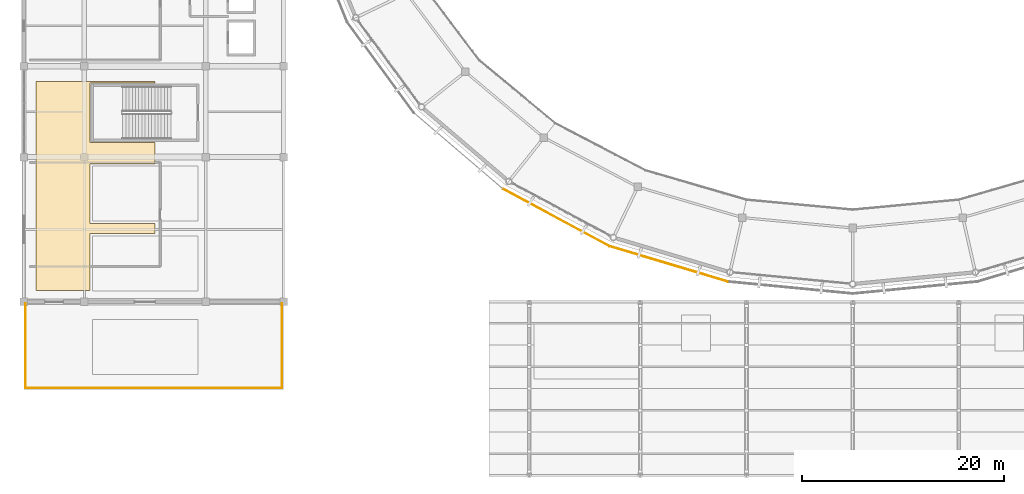
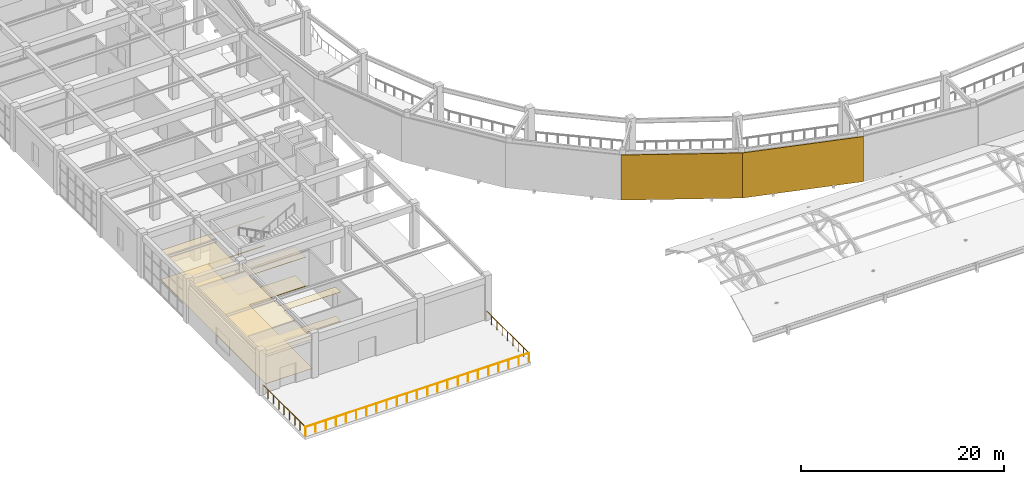
# One storey, part 62 of 70: 4 coverings, 3 railings.
"""IFC4 building model written with IfcOpenShell, lengths in metres."""

from ifc_helpers import new_model, si_unit, direction, frame, frame_2d, origin, origin_2d, place, context, subcontext, project, spatial, polyline, rectangle, circle, outline, extrude, material, layer, layer_set, type_object, element, save


model = new_model("IFC4")

# Units and contexts
model_context = context("Model", 3, precision=1e-05, world=origin(), true_north=direction((0.0, 1.0)))
body_context = subcontext(model_context, "Body", "Model", "MODEL_VIEW")
ifc_project = project(units=[si_unit("LENGTHUNIT", "METRE"), si_unit("AREAUNIT", "SQUARE_METRE"), si_unit("VOLUMEUNIT", "CUBIC_METRE"), si_unit("PLANEANGLEUNIT", "RADIAN"), si_unit("MASSUNIT", "GRAM", prefix="KILO")], contexts=[model_context])

# Site, building, storey
site_placement = place(None, origin())
site = spatial("IfcSite", under=ifc_project, at=site_placement, CompositionType="ELEMENT")
building_placement = place(site_placement, origin())
building = spatial("IfcBuilding", under=site, at=building_placement, Name="Cuetzalor Civic Arena", CompositionType="ELEMENT")
storey_placement = place(building_placement, frame((0.0, 0.0, 21.0)))
storey = spatial("IfcBuildingStorey", under=building, at=storey_placement, Name="L04", CompositionType="ELEMENT", Elevation=21.0)

# Coverings
ifc_material_1 = material(Name="Perforated acoustic mineral ceiling board", Category="gypsum")
ifc_layer_1 = layer(ifc_material_1, 0.02490234375)
ifc_layer_set_1 = layer_set([ifc_layer_1], Name="Perforated acoustic mineral ceiling board")
covering_type_1 = type_object("IfcCoveringType", Name="AcousticMineralCeiling_25", PredefinedType="CEILING", material=ifc_layer_set_1)
covering_1_placement = place(storey_placement, frame((0.0, 0.0, 3.5)))
element("IfcCovering", 1, at=covering_1_placement, inside=storey, type_object=covering_type_1, Name="Sky Club West Acoustic Ceiling", PredefinedType="CEILING", context=body_context, shape_type="SweptSolid", body=[
    extrude(outline(polyline([(-80.800048828125, -47.199951171875), (-80.800048828125, -26.5), (-69.0, -26.5), (-69.0, -26.64990234375), (-75.449951171875, -26.64990234375), (-75.449951171875, -32.550048828125), (-69.0, -32.550048828125), (-69.0, -34.64990234375), (-75.449951171875, -34.64990234375), (-75.449951171875, -40.550048828125), (-69.0, -40.550048828125), (-69.0, -41.550048828125), (-75.449951171875, -41.550048828125), (-75.449951171875, -47.199951171875), (-80.800048828125, -47.199951171875)])), origin(), (0.0, 0.0, 1.0), 0.02490234375),
])
ifc_material_2 = material(Name="Honed Puebla marble and basalt terrazzo flooring", Category="masonry")
ifc_layer_2 = layer(ifc_material_2, 0.030029296875)
ifc_layer_set_2 = layer_set([ifc_layer_2], Name="Honed Puebla marble and basalt terrazzo flooring")
covering_type_2 = type_object("IfcCoveringType", Name="PoblanoTerrazzoFlooring_30", PredefinedType="FLOORING", material=ifc_layer_set_2)
covering_2_placement = place(storey_placement, origin())
element("IfcCovering", 2, at=covering_2_placement, inside=storey, type_object=covering_type_2, Name="Sky Club West Terrazzo", PredefinedType="FLOORING", context=body_context, shape_type="SweptSolid", body=[
    extrude(outline(polyline([(-80.800048828125, -47.199951171875), (-80.800048828125, -26.5), (-69.0, -26.5), (-69.0, -26.64990234375), (-75.449951171875, -26.64990234375), (-75.449951171875, -32.550048828125), (-69.0, -32.550048828125), (-69.0, -34.64990234375), (-75.449951171875, -34.64990234375), (-75.449951171875, -40.550048828125), (-69.0, -40.550048828125), (-69.0, -41.550048828125), (-75.449951171875, -41.550048828125), (-75.449951171875, -47.199951171875), (-80.800048828125, -47.199951171875)])), origin(), (0.0, 0.0, 1.0), 0.030029296875),
])

# Railings
ifc_material_3 = material(Name="Reseda-green architectural Steel S355 balustrade", Category="steel")
railing_type = type_object("IfcRailingType", Name="TerraceBalustrade_1100", PredefinedType="BALUSTRADE", material=ifc_material_3)
railing_1_placement = place(storey_placement, frame((-81.85009765625, -48.449951171875, 0.0)))
element("IfcRailing", 3, at=railing_1_placement, inside=storey, type_object=railing_type, Name="Planted Roof Garden V4W L04 Balustrade 1", PredefinedType="BALUSTRADE", context=body_context, shape_type="SweptSolid", body=[
    extrude(circle(Radius=0.02392578125, at=origin_2d()), frame((0.0, 0.0, 1.076171875), z_axis=(0.0, -1.0, 0.0), x_axis=(1.0, 0.0, 0.0)), (0.0, 0.0, 1.0), 8.400146484375),
    extrude(circle(Radius=0.02099609375, at=origin_2d()), origin(), (0.0, 0.0, 1.0), 1.052001953125),
    extrude(circle(Radius=0.02099609375, at=origin_2d()), frame((0.0, -1.050048828125, 0.0)), (0.0, 0.0, 1.0), 1.052001953125),
    extrude(circle(Radius=0.02099609375, at=origin_2d()), frame((0.0, -2.10009765625, 0.0)), (0.0, 0.0, 1.0), 1.052001953125),
    extrude(circle(Radius=0.02099609375, at=origin_2d()), frame((0.0, -3.150146484375, 0.0)), (0.0, 0.0, 1.0), 1.052001953125),
    extrude(circle(Radius=0.02099609375, at=origin_2d()), frame((0.0, -4.2001953125, 0.0)), (0.0, 0.0, 1.0), 1.052001953125),
    extrude(circle(Radius=0.02099609375, at=origin_2d()), frame((0.0, -5.25, 0.0)), (0.0, 0.0, 1.0), 1.052001953125),
    extrude(circle(Radius=0.02099609375, at=origin_2d()), frame((0.0, -6.300048828125, 0.0)), (0.0, 0.0, 1.0), 1.052001953125),
    extrude(circle(Radius=0.02099609375, at=origin_2d()), frame((0.0, -7.35009765625, 0.0)), (0.0, 0.0, 1.0), 1.052001953125),
    extrude(circle(Radius=0.02099609375, at=origin_2d()), frame((0.0, -8.400146484375, 0.0)), (0.0, 0.0, 1.0), 1.052001953125),
])
railing_2_placement = place(storey_placement, frame((-81.85009765625, -56.85009765625, 0.0)))
element("IfcRailing", 4, at=railing_2_placement, inside=storey, type_object=railing_type, Name="Planted Roof Garden V4W L04 Balustrade 2", PredefinedType="BALUSTRADE", context=body_context, shape_type="SweptSolid", body=[
    extrude(circle(Radius=0.02392578125, at=origin_2d()), frame((0.0, 0.0, 1.076171875), z_axis=(1.0, 0.0, 0.0), x_axis=(0.0, 1.0, 0.0)), (0.0, 0.0, 1.0), 25.400146484375),
    extrude(circle(Radius=0.02099609375, at=origin_2d()), origin(), (0.0, 0.0, 1.0), 1.052001953125),
    extrude(circle(Radius=0.02099609375, at=origin_2d()), frame((1.154541015625, 0.0, 0.0)), (0.0, 0.0, 1.0), 1.052001953125),
    extrude(circle(Radius=0.02099609375, at=origin_2d()), frame((2.30908203125, 0.0, 0.0)), (0.0, 0.0, 1.0), 1.052001953125),
    extrude(circle(Radius=0.02099609375, at=origin_2d()), frame((3.463623046875, 0.0, 0.0)), (0.0, 0.0, 1.0), 1.052001953125),
    extrude(circle(Radius=0.02099609375, at=origin_2d()), frame((4.6181640625, 0.0, 0.0)), (0.0, 0.0, 1.0), 1.052001953125),
    extrude(circle(Radius=0.02099609375, at=origin_2d()), frame((5.772705078125, 0.0, 0.0)), (0.0, 0.0, 1.0), 1.052001953125),
    extrude(circle(Radius=0.02099609375, at=origin_2d()), frame((6.92724609375, 0.0, 0.0)), (0.0, 0.0, 1.0), 1.052001953125),
    extrude(circle(Radius=0.02099609375, at=origin_2d()), frame((8.081787109375, 0.0, 0.0)), (0.0, 0.0, 1.0), 1.052001953125),
    extrude(circle(Radius=0.02099609375, at=origin_2d()), frame((9.236328125, 0.0, 0.0)), (0.0, 0.0, 1.0), 1.052001953125),
    extrude(circle(Radius=0.02099609375, at=origin_2d()), frame((10.390869140625, 0.0, 0.0)), (0.0, 0.0, 1.0), 1.052001953125),
    extrude(circle(Radius=0.02099609375, at=origin_2d()), frame((11.54541015625, 0.0, 0.0)), (0.0, 0.0, 1.0), 1.052001953125),
    extrude(circle(Radius=0.02099609375, at=origin_2d()), frame((12.7001953125, 0.0, 0.0)), (0.0, 0.0, 1.0), 1.052001953125),
    extrude(circle(Radius=0.02099609375, at=origin_2d()), frame((13.854736328125, 0.0, 0.0)), (0.0, 0.0, 1.0), 1.052001953125),
    extrude(circle(Radius=0.02099609375, at=origin_2d()), frame((15.00927734375, 0.0, 0.0)), (0.0, 0.0, 1.0), 1.052001953125),
    extrude(circle(Radius=0.02099609375, at=origin_2d()), frame((16.163818359375, 0.0, 0.0)), (0.0, 0.0, 1.0), 1.052001953125),
    extrude(circle(Radius=0.02099609375, at=origin_2d()), frame((17.318359375, 0.0, 0.0)), (0.0, 0.0, 1.0), 1.052001953125),
    extrude(circle(Radius=0.02099609375, at=origin_2d()), frame((18.472900390625, 0.0, 0.0)), (0.0, 0.0, 1.0), 1.052001953125),
    extrude(circle(Radius=0.02099609375, at=origin_2d()), frame((19.62744140625, 0.0, 0.0)), (0.0, 0.0, 1.0), 1.052001953125),
    extrude(circle(Radius=0.02099609375, at=origin_2d()), frame((20.781982421875, 0.0, 0.0)), (0.0, 0.0, 1.0), 1.052001953125),
    extrude(circle(Radius=0.02099609375, at=origin_2d()), frame((21.9365234375, 0.0, 0.0)), (0.0, 0.0, 1.0), 1.052001953125),
    extrude(circle(Radius=0.02099609375, at=origin_2d()), frame((23.091064453125, 0.0, 0.0)), (0.0, 0.0, 1.0), 1.052001953125),
    extrude(circle(Radius=0.02099609375, at=origin_2d()), frame((24.24560546875, 0.0, 0.0)), (0.0, 0.0, 1.0), 1.052001953125),
    extrude(circle(Radius=0.02099609375, at=origin_2d()), frame((25.400146484375, 0.0, 0.0)), (0.0, 0.0, 1.0), 1.052001953125),
])
railing_3_placement = place(storey_placement, frame((-56.449951171875, -56.85009765625, 0.0)))
element("IfcRailing", 5, at=railing_3_placement, inside=storey, type_object=railing_type, Name="Planted Roof Garden V4W L04 Balustrade 3", PredefinedType="BALUSTRADE", context=body_context, shape_type="SweptSolid", body=[
    extrude(circle(Radius=0.02392578125, at=origin_2d()), frame((0.0, 0.0, 1.076171875), z_axis=(0.0, 1.0, 0.0), x_axis=(-1.0, 0.0, 0.0)), (0.0, 0.0, 1.0), 8.400146484375),
    extrude(circle(Radius=0.02099609375, at=origin_2d()), origin(), (0.0, 0.0, 1.0), 1.052001953125),
    extrude(circle(Radius=0.02099609375, at=origin_2d()), frame((0.0, 1.050048828125, 0.0)), (0.0, 0.0, 1.0), 1.052001953125),
    extrude(circle(Radius=0.02099609375, at=origin_2d()), frame((0.0, 2.10009765625, 0.0)), (0.0, 0.0, 1.0), 1.052001953125),
    extrude(circle(Radius=0.02099609375, at=origin_2d()), frame((0.0, 3.150146484375, 0.0)), (0.0, 0.0, 1.0), 1.052001953125),
    extrude(circle(Radius=0.02099609375, at=origin_2d()), frame((0.0, 4.2001953125, 0.0)), (0.0, 0.0, 1.0), 1.052001953125),
    extrude(circle(Radius=0.02099609375, at=origin_2d()), frame((0.0, 5.25, 0.0)), (0.0, 0.0, 1.0), 1.052001953125),
    extrude(circle(Radius=0.02099609375, at=origin_2d()), frame((0.0, 6.300048828125, 0.0)), (0.0, 0.0, 1.0), 1.052001953125),
    extrude(circle(Radius=0.02099609375, at=origin_2d()), frame((0.0, 7.35009765625, 0.0)), (0.0, 0.0, 1.0), 1.052001953125),
    extrude(circle(Radius=0.02099609375, at=origin_2d()), frame((0.0, 8.400146484375, 0.0)), (0.0, 0.0, 1.0), 1.052001953125),
])

# Coverings
ifc_material_4 = material(Name="Terracotta-red perforated anodised aluminium panel", Category="masonry")
ifc_layer_3 = layer(ifc_material_4, 0.080078125)
ifc_layer_set_3 = layer_set([ifc_layer_3], Name="Terracotta-red perforated anodised aluminium panel")
covering_type_3 = type_object("IfcCoveringType", Name="TerracottaPerforatedScreenPanel", PredefinedType="CLADDING", material=ifc_layer_set_3)
covering_3_placement = place(storey_placement, frame((-24.08056640625, -42.7958984375, -0.139892578125), z_axis=(0.0, 0.0, 1.0), x_axis=(-0.880729476331, 0.473619667584, 0.0)))
element("IfcCovering", 6, at=covering_3_placement, inside=storey, type_object=covering_type_3, Name="Terracotta Perforated Drum Screen L04-S19", PredefinedType="CLADDING", context=body_context, shape_type="SweptSolid", body=[
    extrude(rectangle(XDim=11.9482421875, YDim=0.080078125, at=frame_2d((5.97412109375, 0.0))), origin(), (0.0, 0.0, 1.0), 5.419921875),
])
covering_4_placement = place(storey_placement, frame((-12.349853515625, -46.30908203125, -0.139892578125), z_axis=(0.0, 0.0, 1.0), x_axis=(-0.957961714935, 0.286896066056, 0.0)))
element("IfcCovering", 7, at=covering_4_placement, inside=storey, type_object=covering_type_3, Name="Terracotta Perforated Drum Screen L04-S20", PredefinedType="CLADDING", context=body_context, shape_type="SweptSolid", body=[
    extrude(rectangle(XDim=12.24560546875, YDim=0.080078125, at=frame_2d((6.122802734375, 0.0))), origin(), (0.0, 0.0, 1.0), 5.419921875),
])

save(model, "model.ifc")
